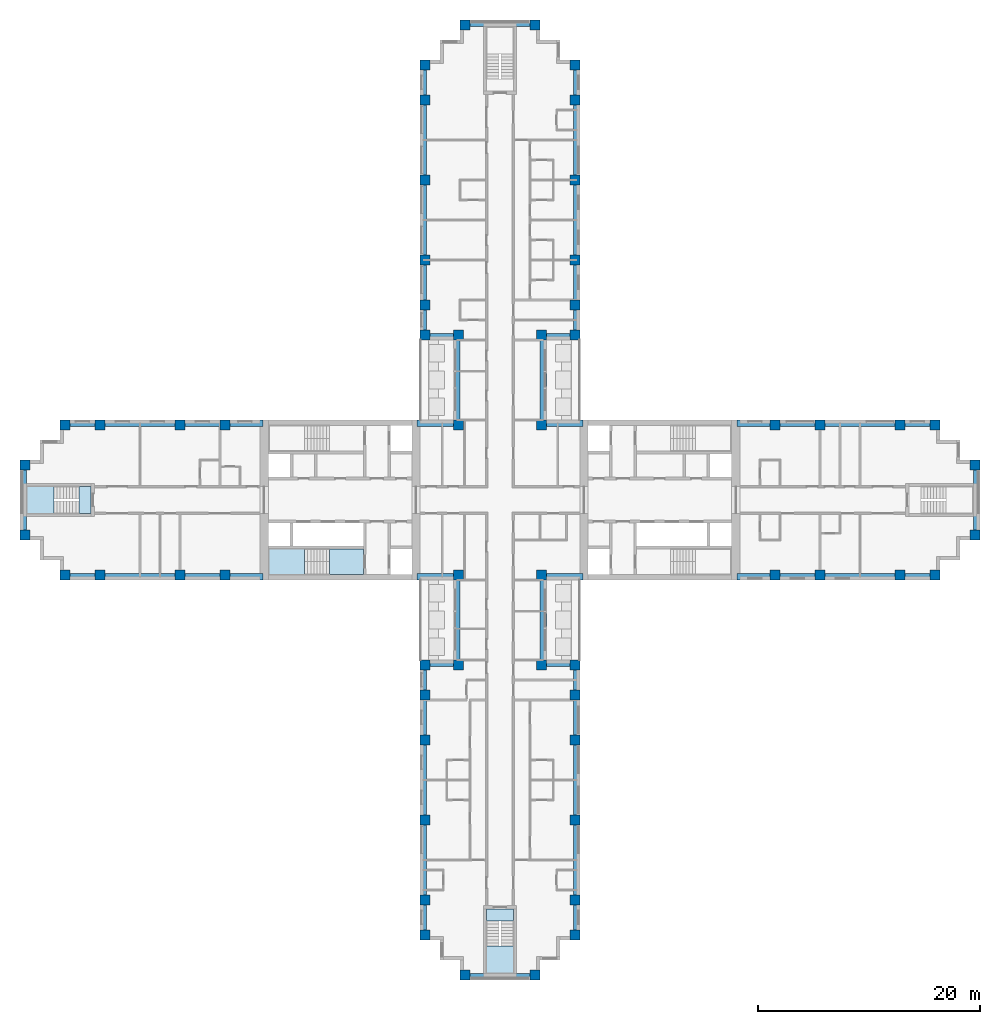
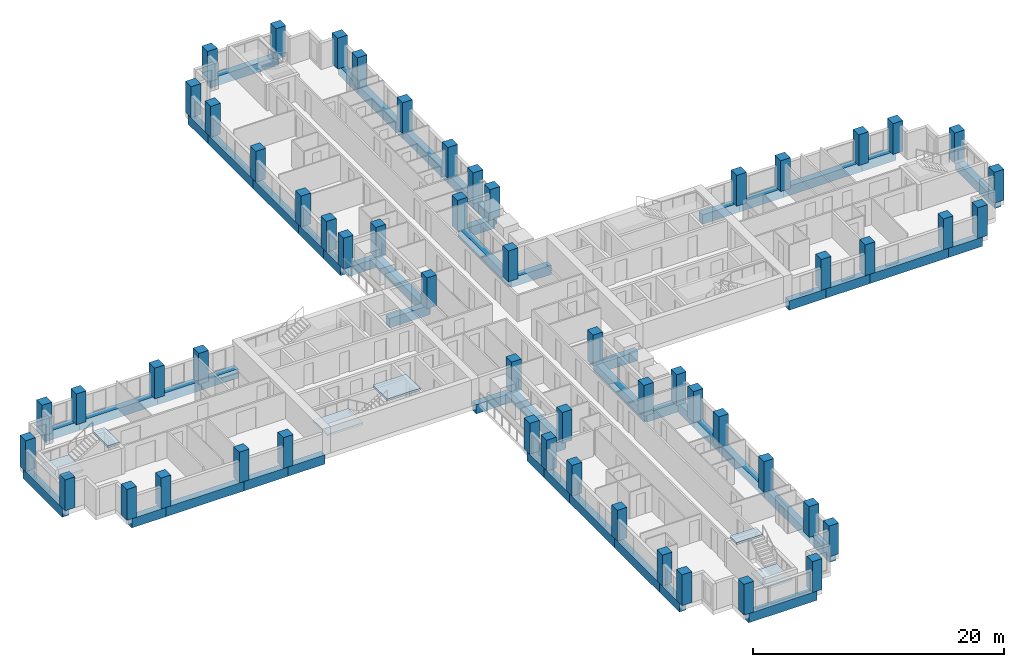
# One storey, part 1 of 15: 56 columns, 52 beams, 6 slabs, 3 elements without a shape of their own.
"""IFC4 building model written with IfcOpenShell, lengths in metres."""

from ifc_helpers import new_model, si_unit, direction, frame, origin, origin_2d, place, context, subcontext, project, spatial, polyline, rectangle, outline, extrude, material, layer, layer_set, material_profile, profile_set, type_object, element, aggregate, save


model = new_model("IFC4")

# Units and contexts
model_context = context("Model", 3, precision=1e-05, world=origin(), true_north=direction((0.0, 1.0)))
body_context = subcontext(model_context, "Body", "Model", "MODEL_VIEW")
ifc_project = project(units=[si_unit("LENGTHUNIT", "METRE"), si_unit("AREAUNIT", "SQUARE_METRE"), si_unit("VOLUMEUNIT", "CUBIC_METRE"), si_unit("PLANEANGLEUNIT", "RADIAN"), si_unit("MASSUNIT", "GRAM", prefix="KILO")], contexts=[model_context])

# Site, building, storey
site_placement = place(None, origin())
site = spatial("IfcSite", under=ifc_project, at=site_placement, CompositionType="ELEMENT")
building_placement = place(site_placement, origin())
building = spatial("IfcBuilding", under=site, at=building_placement, Name="Fustian Cross Tower", CompositionType="ELEMENT")
storey_placement = place(building_placement, frame((0.0, 0.0, 59.699951171875)))
storey = spatial("IfcBuildingStorey", under=building, at=storey_placement, Name="L18", CompositionType="ELEMENT", Elevation=59.699951171875)

# Columns
ifc_material_1 = material(Name="Concrete C70/85", Category="concrete")
ifc_material_profile_1 = material_profile(ifc_material_1, rectangle(XDim=0.89990234375, YDim=0.89990234375, at=origin_2d()), Name="RC 900x900")
ifc_profile_set_1 = profile_set([ifc_material_profile_1], Name="Concrete C70/85")
column_type = type_object("IfcColumnType", Name="COLUMN RC 900x900 C70/85", PredefinedType="COLUMN", material=ifc_profile_set_1)
for number, where, z_axis, x_axis, name in (
    (1, (-42.75, -3.14990234375, 0.0), (0.0, 0.0, 1.0), (1.0, 0.0, 0.0), "COLUMN 001"),
    (2, (-42.75, 3.14990234375, 0.0), (0.0, 0.0, 1.0), (1.0, 0.0, 0.0), "COLUMN 002"),
    (3, (-39.14990234375, -6.75, 0.0), (0.0, 0.0, 1.0), (1.0, 0.0, 0.0), "COLUMN 003"),
    (4, (-39.14990234375, 6.75, 0.0), (0.0, 0.0, 1.0), (1.0, 0.0, 0.0), "COLUMN 004"),
    (5, (-36.0, -6.75, 0.0), (0.0, 0.0, 1.0), (1.0, 0.0, 0.0), "COLUMN 005"),
    (6, (-36.0, 6.75, 0.0), (0.0, 0.0, 1.0), (1.0, 0.0, 0.0), "COLUMN 006"),
    (7, (-28.800048828125, -6.75, 0.0), (0.0, 0.0, 1.0), (1.0, 0.0, 0.0), "COLUMN 007"),
    (8, (-28.800048828125, 6.75, 0.0), (0.0, 0.0, 1.0), (1.0, 0.0, 0.0), "COLUMN 010"),
    (9, (-24.75, -6.75, 0.0), (0.0, 0.0, 1.0), (1.0, 0.0, 0.0), "COLUMN 011"),
    (10, (-24.75, 6.75, 0.0), (0.0, 0.0, 1.0), (1.0, 0.0, 0.0), "COLUMN 012"),
    (11, (-6.75, -39.14990234375, 0.0), (0.0, 0.0, 1.0), (1.0, 0.0, 0.0), "COLUMN 013"),
    (12, (-6.75, -36.0, 0.0), (0.0, 0.0, 1.0), (1.0, 0.0, 0.0), "COLUMN 014"),
    (13, (-6.75, -28.800048828125, 0.0), (0.0, 0.0, 1.0), (1.0, 0.0, 0.0), "COLUMN 015"),
    (14, (-6.75, -21.60009765625, 0.0), (0.0, 0.0, 1.0), (1.0, 0.0, 0.0), "COLUMN 016"),
    (15, (-6.75, -17.550048828125, 0.0), (0.0, 0.0, 1.0), (1.0, 0.0, 0.0), "COLUMN 017"),
    (16, (-6.75, -14.85009765625, 0.0), (0.0, 0.0, 1.0), (1.0, 0.0, 0.0), "COLUMN 018"),
    (17, (-6.75, 14.85009765625, 0.0), (0.0, 0.0, 1.0), (1.0, 0.0, 0.0), "COLUMN 019"),
    (18, (-6.75, 17.550048828125, 0.0), (0.0, 0.0, 1.0), (1.0, 0.0, 0.0), "COLUMN 020"),
    (19, (-6.75, 21.60009765625, 0.0), (0.0, 0.0, 1.0), (1.0, 0.0, 0.0), "COLUMN 021"),
    (20, (-6.75, 28.800048828125, 0.0), (0.0, 0.0, 1.0), (1.0, 0.0, 0.0), "COLUMN 022"),
    (21, (-6.75, 36.0, 0.0), (0.0, 0.0, 1.0), (1.0, 0.0, 0.0), "COLUMN 023"),
    (22, (-6.75, 39.14990234375, 0.0), (0.0, 0.0, 1.0), (1.0, 0.0, 0.0), "COLUMN 024"),
    (23, (-3.75, -14.85009765625, 0.0), (0.0, 0.0, 1.0), (1.0, 0.0, 0.0), "COLUMN 025"),
    (24, (-3.75, -6.75, 0.0), (0.0, 0.0, 1.0), (1.0, 0.0, 0.0), "COLUMN 026"),
    (25, (-3.75, 6.75, 0.0), (0.0, 0.0, 1.0), (1.0, 0.0, 0.0), "COLUMN 027"),
    (26, (-3.75, 14.85009765625, 0.0), (0.0, 0.0, 1.0), (1.0, 0.0, 0.0), "COLUMN 028"),
    (27, (-3.14990234375, -42.75, 0.0), (0.0, 0.0, 1.0), (1.0, 0.0, 0.0), "COLUMN 029"),
    (28, (-3.14990234375, 42.75, 0.0), (0.0, 0.0, 1.0), (1.0, 0.0, 0.0), "COLUMN 032"),
    (29, (3.14990234375, -42.75, 0.0), (0.0, 0.0, 1.0), (1.0, 0.0, 0.0), "COLUMN 033"),
    (30, (3.14990234375, 42.75, 0.0), (0.0, 0.0, 1.0), (1.0, 0.0, 0.0), "COLUMN 036"),
    (31, (3.75, -14.85009765625, 0.0), (0.0, 0.0, 1.0), (1.0, 0.0, 0.0), "COLUMN 037"),
    (32, (3.75, -6.75, 0.0), (0.0, 0.0, 1.0), (1.0, 0.0, 0.0), "COLUMN 038"),
    (33, (3.75, 6.75, 0.0), (0.0, 0.0, 1.0), (1.0, 0.0, 0.0), "COLUMN 039"),
    (34, (3.75, 14.85009765625, 0.0), (0.0, 0.0, 1.0), (1.0, 0.0, 0.0), "COLUMN 040"),
    (35, (6.75, -39.14990234375, 0.0), (0.0, 0.0, 1.0), (1.0, 0.0, 0.0), "COLUMN 041"),
    (36, (6.75, -36.0, 0.0), (0.0, 0.0, 1.0), (1.0, 0.0, 0.0), "COLUMN 042"),
    (37, (6.75, -28.800048828125, 0.0), (0.0, 0.0, 1.0), (1.0, 0.0, 0.0), "COLUMN 043"),
    (38, (6.75, -21.60009765625, 0.0), (0.0, 0.0, 1.0), (1.0, 0.0, 0.0), "COLUMN 044"),
    (39, (6.75, -17.550048828125, 0.0), (0.0, 0.0, 1.0), (1.0, 0.0, 0.0), "COLUMN 045"),
    (40, (6.75, -14.85009765625, 0.0), (0.0, 0.0, 1.0), (1.0, 0.0, 0.0), "COLUMN 046"),
    (41, (6.75, 14.85009765625, 0.0), (0.0, 0.0, 1.0), (1.0, 0.0, 0.0), "COLUMN 047"),
    (42, (6.75, 17.550048828125, 0.0), (0.0, 0.0, 1.0), (1.0, 0.0, 0.0), "COLUMN 048"),
    (43, (6.75, 21.60009765625, 0.0), (0.0, 0.0, 1.0), (1.0, 0.0, 0.0), "COLUMN 049"),
    (44, (6.75, 28.800048828125, 0.0), (0.0, 0.0, 1.0), (1.0, 0.0, 0.0), "COLUMN 050"),
    (45, (6.75, 36.0, 0.0), (0.0, 0.0, 1.0), (1.0, 0.0, 0.0), "COLUMN 051"),
    (46, (6.75, 39.14990234375, 0.0), (0.0, 0.0, 1.0), (1.0, 0.0, 0.0), "COLUMN 052"),
    (47, (24.75, -6.75, 0.0), (0.0, 0.0, 1.0), (1.0, 0.0, 0.0), "COLUMN 053"),
    (48, (24.75, 6.75, 0.0), (0.0, 0.0, 1.0), (1.0, 0.0, 0.0), "COLUMN 054"),
    (49, (28.800048828125, -6.75, 0.0), (0.0, 0.0, 1.0), (1.0, 0.0, 0.0), "COLUMN 055"),
    (50, (28.800048828125, 6.75, 0.0), (0.0, 0.0, 1.0), (1.0, 0.0, 0.0), "COLUMN 058"),
    (51, (36.0, -6.75, 0.0), (0.0, 0.0, 1.0), (1.0, 0.0, 0.0), "COLUMN 059"),
    (52, (36.0, 6.75, 0.0), (0.0, 0.0, 1.0), (1.0, 0.0, 0.0), "COLUMN 060"),
    (53, (39.14990234375, -6.75, 0.0), (0.0, 0.0, 1.0), (1.0, 0.0, 0.0), "COLUMN 061"),
    (54, (39.14990234375, 6.75, 0.0), (0.0, 0.0, 1.0), (1.0, 0.0, 0.0), "COLUMN 062"),
    (55, (42.75, -3.14990234375, 0.0), (0.0, 0.0, 1.0), (1.0, 0.0, 0.0), "COLUMN 063"),
    (56, (42.75, 3.14990234375, 0.0), (0.0, 0.0, 1.0), (1.0, 0.0, 0.0), "COLUMN 064"),
):
    element("IfcColumn", number, at=place(storey_placement, frame(where, z_axis=z_axis, x_axis=x_axis)), inside=storey, type_object=column_type, Name=name, PredefinedType="COLUMN", context=body_context, shape_type="SweptSolid", body=[
        extrude(rectangle(XDim=0.89990234375, YDim=0.89990234375, at=origin_2d()), origin(), (0.0, 0.0, 1.0), 3.0),
    ])

# Beams
ifc_material_2 = material(Name="Concrete C50/60", Category="concrete")
ifc_material_profile_2 = material_profile(ifc_material_2, rectangle(XDim=0.60009765625, YDim=0.89990234375, at=origin_2d()), Name="RC 600x900")
ifc_profile_set_2 = profile_set([ifc_material_profile_2], Name="Concrete C50/60")
beam_type = type_object("IfcBeamType", Name="EDGE BEAM RC 600x900 C50/60", PredefinedType="SPANDREL", material=ifc_profile_set_2)
beam_1_placement = place(storey_placement, frame((21.35009765625, -6.89990234375, -0.449951171875), z_axis=(1.0, 0.0, 0.0), x_axis=(0.0, 1.0, 0.0)))
element("IfcBeam", 57, at=beam_1_placement, inside=storey, type_object=beam_type, Name="EDGE BEAM L18-01", PredefinedType="SPANDREL", context=body_context, shape_type="SweptSolid", body=[
    extrude(rectangle(XDim=0.60009765625, YDim=0.89990234375, at=origin_2d()), origin(), (0.0, 0.0, 1.0), 3.39990234375),
])
beam_2_placement = place(storey_placement, frame((24.75, -6.89990234375, -0.449951171875), z_axis=(1.0, 0.0, 0.0), x_axis=(0.0, 1.0, 0.0)))
element("IfcBeam", 58, at=beam_2_placement, inside=storey, type_object=beam_type, Name="EDGE BEAM L18-02", PredefinedType="SPANDREL", context=body_context, shape_type="SweptSolid", body=[
    extrude(rectangle(XDim=0.60009765625, YDim=0.89990234375, at=origin_2d()), origin(), (0.0, 0.0, 1.0), 4.050048828125),
])
beam_3_placement = place(storey_placement, frame((28.800048828125, -6.89990234375, -0.449951171875), z_axis=(1.0, 0.0, 0.0), x_axis=(0.0, 1.0, 0.0)))
element("IfcBeam", 59, at=beam_3_placement, inside=storey, type_object=beam_type, Name="EDGE BEAM L18-03", PredefinedType="SPANDREL", context=body_context, shape_type="SweptSolid", body=[
    extrude(rectangle(XDim=0.60009765625, YDim=0.89990234375, at=origin_2d()), origin(), (0.0, 0.0, 1.0), 7.199951171875),
])
beam_4_placement = place(storey_placement, frame((36.0, -6.89990234375, -0.449951171875), z_axis=(1.0, 0.0, 0.0), x_axis=(0.0, 1.0, 0.0)))
element("IfcBeam", 60, at=beam_4_placement, inside=storey, type_object=beam_type, Name="EDGE BEAM L18-04", PredefinedType="SPANDREL", context=body_context, shape_type="SweptSolid", body=[
    extrude(rectangle(XDim=0.60009765625, YDim=0.89990234375, at=origin_2d()), origin(), (0.0, 0.0, 1.0), 3.14990234375),
])
beam_5_placement = place(storey_placement, frame((42.89990234375, -3.14990234375, -0.449951171875), z_axis=(0.0, 1.0, 0.0), x_axis=(-1.0, 0.0, 0.0)))
element("IfcBeam", 61, at=beam_5_placement, inside=storey, type_object=beam_type, Name="EDGE BEAM L18-05", PredefinedType="SPANDREL", context=body_context, shape_type="SweptSolid", body=[
    extrude(rectangle(XDim=0.60009765625, YDim=0.89990234375, at=origin_2d()), origin(), (0.0, 0.0, 1.0), 6.2998046875),
])
beam_6_placement = place(storey_placement, frame((39.14990234375, 6.89990234375, -0.449951171875), z_axis=(-1.0, 0.0, 0.0), x_axis=(0.0, -1.0, 0.0)))
element("IfcBeam", 62, at=beam_6_placement, inside=storey, type_object=beam_type, Name="EDGE BEAM L18-06", PredefinedType="SPANDREL", context=body_context, shape_type="SweptSolid", body=[
    extrude(rectangle(XDim=0.60009765625, YDim=0.89990234375, at=origin_2d()), origin(), (0.0, 0.0, 1.0), 3.14990234375),
])
beam_7_placement = place(storey_placement, frame((36.0, 6.89990234375, -0.449951171875), z_axis=(-1.0, 0.0, 0.0), x_axis=(0.0, -1.0, 0.0)))
element("IfcBeam", 63, at=beam_7_placement, inside=storey, type_object=beam_type, Name="EDGE BEAM L18-07", PredefinedType="SPANDREL", context=body_context, shape_type="SweptSolid", body=[
    extrude(rectangle(XDim=0.60009765625, YDim=0.89990234375, at=origin_2d()), origin(), (0.0, 0.0, 1.0), 7.199951171875),
])
beam_8_placement = place(storey_placement, frame((28.800048828125, 6.89990234375, -0.449951171875), z_axis=(-1.0, 0.0, 0.0), x_axis=(0.0, -1.0, 0.0)))
element("IfcBeam", 64, at=beam_8_placement, inside=storey, type_object=beam_type, Name="EDGE BEAM L18-08", PredefinedType="SPANDREL", context=body_context, shape_type="SweptSolid", body=[
    extrude(rectangle(XDim=0.60009765625, YDim=0.89990234375, at=origin_2d()), origin(), (0.0, 0.0, 1.0), 4.050048828125),
])
beam_9_placement = place(storey_placement, frame((24.75, 6.89990234375, -0.449951171875), z_axis=(-1.0, 0.0, 0.0), x_axis=(0.0, -1.0, 0.0)))
element("IfcBeam", 65, at=beam_9_placement, inside=storey, type_object=beam_type, Name="EDGE BEAM L18-09", PredefinedType="SPANDREL", context=body_context, shape_type="SweptSolid", body=[
    extrude(rectangle(XDim=0.60009765625, YDim=0.89990234375, at=origin_2d()), origin(), (0.0, 0.0, 1.0), 3.39990234375),
])
beam_10_placement = place(storey_placement, frame((7.449951171875, 6.89990234375, -0.449951171875), z_axis=(-1.0, 0.0, 0.0), x_axis=(0.0, -1.0, 0.0)))
element("IfcBeam", 66, at=beam_10_placement, inside=storey, type_object=beam_type, Name="EDGE BEAM L18-10", PredefinedType="SPANDREL", context=body_context, shape_type="SweptSolid", body=[
    extrude(rectangle(XDim=0.60009765625, YDim=0.89990234375, at=origin_2d()), origin(), (0.0, 0.0, 1.0), 3.699951171875),
])
beam_11_placement = place(storey_placement, frame((3.89990234375, 6.75, -0.449951171875), z_axis=(0.0, 1.0, 0.0), x_axis=(-1.0, 0.0, 0.0)))
element("IfcBeam", 67, at=beam_11_placement, inside=storey, type_object=beam_type, Name="EDGE BEAM L18-11", PredefinedType="SPANDREL", context=body_context, shape_type="SweptSolid", body=[
    extrude(rectangle(XDim=0.60009765625, YDim=0.89990234375, at=origin_2d()), origin(), (0.0, 0.0, 1.0), 8.10009765625),
])
beam_12_placement = place(storey_placement, frame((3.75, 14.699951171875, -0.449951171875), z_axis=(1.0, 0.0, 0.0), x_axis=(0.0, 1.0, 0.0)))
element("IfcBeam", 68, at=beam_12_placement, inside=storey, type_object=beam_type, Name="EDGE BEAM L18-12", PredefinedType="SPANDREL", context=body_context, shape_type="SweptSolid", body=[
    extrude(rectangle(XDim=0.60009765625, YDim=0.89990234375, at=origin_2d()), origin(), (0.0, 0.0, 1.0), 3.0),
])
beam_13_placement = place(storey_placement, frame((6.89990234375, 14.85009765625, -0.449951171875), z_axis=(0.0, 1.0, 0.0), x_axis=(-1.0, 0.0, 0.0)))
element("IfcBeam", 69, at=beam_13_placement, inside=storey, type_object=beam_type, Name="EDGE BEAM L18-13", PredefinedType="SPANDREL", context=body_context, shape_type="SweptSolid", body=[
    extrude(rectangle(XDim=0.60009765625, YDim=0.89990234375, at=origin_2d()), origin(), (0.0, 0.0, 1.0), 2.699951171875),
])
beam_14_placement = place(storey_placement, frame((6.89990234375, 17.550048828125, -0.449951171875), z_axis=(0.0, 1.0, 0.0), x_axis=(-1.0, 0.0, 0.0)))
element("IfcBeam", 70, at=beam_14_placement, inside=storey, type_object=beam_type, Name="EDGE BEAM L18-14", PredefinedType="SPANDREL", context=body_context, shape_type="SweptSolid", body=[
    extrude(rectangle(XDim=0.60009765625, YDim=0.89990234375, at=origin_2d()), origin(), (0.0, 0.0, 1.0), 4.050048828125),
])
for number, where, z_axis, x_axis, name in (
    (71, (6.89990234375, 21.60009765625, -0.449951171875), (0.0, 1.0, 0.0), (-1.0, 0.0, 0.0), "EDGE BEAM L18-15"),
    (72, (6.89990234375, 28.800048828125, -0.449951171875), (0.0, 1.0, 0.0), (-1.0, 0.0, 0.0), "EDGE BEAM L18-16"),
):
    element("IfcBeam", number, at=place(storey_placement, frame(where, z_axis=z_axis, x_axis=x_axis)), inside=storey, type_object=beam_type, Name=name, PredefinedType="SPANDREL", context=body_context, shape_type="SweptSolid", body=[
        extrude(rectangle(XDim=0.60009765625, YDim=0.89990234375, at=origin_2d()), origin(), (0.0, 0.0, 1.0), 7.199951171875),
    ])
beam_15_placement = place(storey_placement, frame((6.89990234375, 36.0, -0.449951171875), z_axis=(0.0, 1.0, 0.0), x_axis=(-1.0, 0.0, 0.0)))
element("IfcBeam", 73, at=beam_15_placement, inside=storey, type_object=beam_type, Name="EDGE BEAM L18-17", PredefinedType="SPANDREL", context=body_context, shape_type="SweptSolid", body=[
    extrude(rectangle(XDim=0.60009765625, YDim=0.89990234375, at=origin_2d()), origin(), (0.0, 0.0, 1.0), 3.14990234375),
])
beam_16_placement = place(storey_placement, frame((3.14990234375, 42.89990234375, -0.449951171875), z_axis=(-1.0, 0.0, 0.0), x_axis=(0.0, -1.0, 0.0)))
element("IfcBeam", 74, at=beam_16_placement, inside=storey, type_object=beam_type, Name="EDGE BEAM L18-18", PredefinedType="SPANDREL", context=body_context, shape_type="SweptSolid", body=[
    extrude(rectangle(XDim=0.60009765625, YDim=0.89990234375, at=origin_2d()), origin(), (0.0, 0.0, 1.0), 6.2998046875),
])
beam_17_placement = place(storey_placement, frame((-6.89990234375, 39.14990234375, -0.449951171875), z_axis=(0.0, -1.0, 0.0), x_axis=(1.0, 0.0, 0.0)))
element("IfcBeam", 75, at=beam_17_placement, inside=storey, type_object=beam_type, Name="EDGE BEAM L18-19", PredefinedType="SPANDREL", context=body_context, shape_type="SweptSolid", body=[
    extrude(rectangle(XDim=0.60009765625, YDim=0.89990234375, at=origin_2d()), origin(), (0.0, 0.0, 1.0), 3.14990234375),
])
for number, where, z_axis, x_axis, name in (
    (76, (-6.89990234375, 36.0, -0.449951171875), (0.0, -1.0, 0.0), (1.0, 0.0, 0.0), "EDGE BEAM L18-20"),
    (77, (-6.89990234375, 28.800048828125, -0.449951171875), (0.0, -1.0, 0.0), (1.0, 0.0, 0.0), "EDGE BEAM L18-21"),
):
    element("IfcBeam", number, at=place(storey_placement, frame(where, z_axis=z_axis, x_axis=x_axis)), inside=storey, type_object=beam_type, Name=name, PredefinedType="SPANDREL", context=body_context, shape_type="SweptSolid", body=[
        extrude(rectangle(XDim=0.60009765625, YDim=0.89990234375, at=origin_2d()), origin(), (0.0, 0.0, 1.0), 7.199951171875),
    ])
beam_18_placement = place(storey_placement, frame((-6.89990234375, 21.60009765625, -0.449951171875), z_axis=(0.0, -1.0, 0.0), x_axis=(1.0, 0.0, 0.0)))
element("IfcBeam", 78, at=beam_18_placement, inside=storey, type_object=beam_type, Name="EDGE BEAM L18-22", PredefinedType="SPANDREL", context=body_context, shape_type="SweptSolid", body=[
    extrude(rectangle(XDim=0.60009765625, YDim=0.89990234375, at=origin_2d()), origin(), (0.0, 0.0, 1.0), 4.050048828125),
])
beam_19_placement = place(storey_placement, frame((-6.89990234375, 17.550048828125, -0.449951171875), z_axis=(0.0, -1.0, 0.0), x_axis=(1.0, 0.0, 0.0)))
element("IfcBeam", 79, at=beam_19_placement, inside=storey, type_object=beam_type, Name="EDGE BEAM L18-23", PredefinedType="SPANDREL", context=body_context, shape_type="SweptSolid", body=[
    extrude(rectangle(XDim=0.60009765625, YDim=0.89990234375, at=origin_2d()), origin(), (0.0, 0.0, 1.0), 2.699951171875),
])
beam_20_placement = place(storey_placement, frame((-6.75, 14.699951171875, -0.449951171875), z_axis=(1.0, 0.0, 0.0), x_axis=(0.0, 1.0, 0.0)))
element("IfcBeam", 80, at=beam_20_placement, inside=storey, type_object=beam_type, Name="EDGE BEAM L18-24", PredefinedType="SPANDREL", context=body_context, shape_type="SweptSolid", body=[
    extrude(rectangle(XDim=0.60009765625, YDim=0.89990234375, at=origin_2d()), origin(), (0.0, 0.0, 1.0), 3.0),
])
beam_21_placement = place(storey_placement, frame((-3.89990234375, 14.85009765625, -0.449951171875), z_axis=(0.0, -1.0, 0.0), x_axis=(1.0, 0.0, 0.0)))
element("IfcBeam", 81, at=beam_21_placement, inside=storey, type_object=beam_type, Name="EDGE BEAM L18-25", PredefinedType="SPANDREL", context=body_context, shape_type="SweptSolid", body=[
    extrude(rectangle(XDim=0.60009765625, YDim=0.89990234375, at=origin_2d()), origin(), (0.0, 0.0, 1.0), 8.10009765625),
])
beam_22_placement = place(storey_placement, frame((-3.75, 6.89990234375, -0.449951171875), z_axis=(-1.0, 0.0, 0.0), x_axis=(0.0, -1.0, 0.0)))
element("IfcBeam", 82, at=beam_22_placement, inside=storey, type_object=beam_type, Name="EDGE BEAM L18-26", PredefinedType="SPANDREL", context=body_context, shape_type="SweptSolid", body=[
    extrude(rectangle(XDim=0.60009765625, YDim=0.89990234375, at=origin_2d()), origin(), (0.0, 0.0, 1.0), 3.699951171875),
])
beam_23_placement = place(storey_placement, frame((-21.35009765625, 6.89990234375, -0.449951171875), z_axis=(-1.0, 0.0, 0.0), x_axis=(0.0, -1.0, 0.0)))
element("IfcBeam", 83, at=beam_23_placement, inside=storey, type_object=beam_type, Name="EDGE BEAM L18-27", PredefinedType="SPANDREL", context=body_context, shape_type="SweptSolid", body=[
    extrude(rectangle(XDim=0.60009765625, YDim=0.89990234375, at=origin_2d()), origin(), (0.0, 0.0, 1.0), 3.39990234375),
])
beam_24_placement = place(storey_placement, frame((-24.75, 6.89990234375, -0.449951171875), z_axis=(-1.0, 0.0, 0.0), x_axis=(0.0, -1.0, 0.0)))
element("IfcBeam", 84, at=beam_24_placement, inside=storey, type_object=beam_type, Name="EDGE BEAM L18-28", PredefinedType="SPANDREL", context=body_context, shape_type="SweptSolid", body=[
    extrude(rectangle(XDim=0.60009765625, YDim=0.89990234375, at=origin_2d()), origin(), (0.0, 0.0, 1.0), 4.050048828125),
])
beam_25_placement = place(storey_placement, frame((-28.800048828125, 6.89990234375, -0.449951171875), z_axis=(-1.0, 0.0, 0.0), x_axis=(0.0, -1.0, 0.0)))
element("IfcBeam", 85, at=beam_25_placement, inside=storey, type_object=beam_type, Name="EDGE BEAM L18-29", PredefinedType="SPANDREL", context=body_context, shape_type="SweptSolid", body=[
    extrude(rectangle(XDim=0.60009765625, YDim=0.89990234375, at=origin_2d()), origin(), (0.0, 0.0, 1.0), 7.199951171875),
])
beam_26_placement = place(storey_placement, frame((-36.0, 6.89990234375, -0.449951171875), z_axis=(-1.0, 0.0, 0.0), x_axis=(0.0, -1.0, 0.0)))
element("IfcBeam", 86, at=beam_26_placement, inside=storey, type_object=beam_type, Name="EDGE BEAM L18-30", PredefinedType="SPANDREL", context=body_context, shape_type="SweptSolid", body=[
    extrude(rectangle(XDim=0.60009765625, YDim=0.89990234375, at=origin_2d()), origin(), (0.0, 0.0, 1.0), 3.14990234375),
])
beam_27_placement = place(storey_placement, frame((-42.89990234375, 3.14990234375, -0.449951171875), z_axis=(0.0, -1.0, 0.0), x_axis=(1.0, 0.0, 0.0)))
element("IfcBeam", 87, at=beam_27_placement, inside=storey, type_object=beam_type, Name="EDGE BEAM L18-31", PredefinedType="SPANDREL", context=body_context, shape_type="SweptSolid", body=[
    extrude(rectangle(XDim=0.60009765625, YDim=0.89990234375, at=origin_2d()), origin(), (0.0, 0.0, 1.0), 6.2998046875),
])
beam_28_placement = place(storey_placement, frame((-39.14990234375, -6.89990234375, -0.449951171875), z_axis=(1.0, 0.0, 0.0), x_axis=(0.0, 1.0, 0.0)))
element("IfcBeam", 88, at=beam_28_placement, inside=storey, type_object=beam_type, Name="EDGE BEAM L18-32", PredefinedType="SPANDREL", context=body_context, shape_type="SweptSolid", body=[
    extrude(rectangle(XDim=0.60009765625, YDim=0.89990234375, at=origin_2d()), origin(), (0.0, 0.0, 1.0), 3.14990234375),
])
beam_29_placement = place(storey_placement, frame((-36.0, -6.89990234375, -0.449951171875), z_axis=(1.0, 0.0, 0.0), x_axis=(0.0, 1.0, 0.0)))
element("IfcBeam", 89, at=beam_29_placement, inside=storey, type_object=beam_type, Name="EDGE BEAM L18-33", PredefinedType="SPANDREL", context=body_context, shape_type="SweptSolid", body=[
    extrude(rectangle(XDim=0.60009765625, YDim=0.89990234375, at=origin_2d()), origin(), (0.0, 0.0, 1.0), 7.199951171875),
])
beam_30_placement = place(storey_placement, frame((-28.800048828125, -6.89990234375, -0.449951171875), z_axis=(1.0, 0.0, 0.0), x_axis=(0.0, 1.0, 0.0)))
element("IfcBeam", 90, at=beam_30_placement, inside=storey, type_object=beam_type, Name="EDGE BEAM L18-34", PredefinedType="SPANDREL", context=body_context, shape_type="SweptSolid", body=[
    extrude(rectangle(XDim=0.60009765625, YDim=0.89990234375, at=origin_2d()), origin(), (0.0, 0.0, 1.0), 4.050048828125),
])
beam_31_placement = place(storey_placement, frame((-24.75, -6.89990234375, -0.449951171875), z_axis=(1.0, 0.0, 0.0), x_axis=(0.0, 1.0, 0.0)))
element("IfcBeam", 91, at=beam_31_placement, inside=storey, type_object=beam_type, Name="EDGE BEAM L18-35", PredefinedType="SPANDREL", context=body_context, shape_type="SweptSolid", body=[
    extrude(rectangle(XDim=0.60009765625, YDim=0.89990234375, at=origin_2d()), origin(), (0.0, 0.0, 1.0), 3.39990234375),
])
beam_32_placement = place(storey_placement, frame((-7.449951171875, -6.89990234375, -0.449951171875), z_axis=(1.0, 0.0, 0.0), x_axis=(0.0, 1.0, 0.0)))
element("IfcBeam", 92, at=beam_32_placement, inside=storey, type_object=beam_type, Name="EDGE BEAM L18-36", PredefinedType="SPANDREL", context=body_context, shape_type="SweptSolid", body=[
    extrude(rectangle(XDim=0.60009765625, YDim=0.89990234375, at=origin_2d()), origin(), (0.0, 0.0, 1.0), 3.699951171875),
])
beam_33_placement = place(storey_placement, frame((-3.89990234375, -6.75, -0.449951171875), z_axis=(0.0, -1.0, 0.0), x_axis=(1.0, 0.0, 0.0)))
element("IfcBeam", 93, at=beam_33_placement, inside=storey, type_object=beam_type, Name="EDGE BEAM L18-37", PredefinedType="SPANDREL", context=body_context, shape_type="SweptSolid", body=[
    extrude(rectangle(XDim=0.60009765625, YDim=0.89990234375, at=origin_2d()), origin(), (0.0, 0.0, 1.0), 8.10009765625),
])
beam_34_placement = place(storey_placement, frame((-3.75, -14.699951171875, -0.449951171875), z_axis=(-1.0, 0.0, 0.0), x_axis=(0.0, -1.0, 0.0)))
element("IfcBeam", 94, at=beam_34_placement, inside=storey, type_object=beam_type, Name="EDGE BEAM L18-38", PredefinedType="SPANDREL", context=body_context, shape_type="SweptSolid", body=[
    extrude(rectangle(XDim=0.60009765625, YDim=0.89990234375, at=origin_2d()), origin(), (0.0, 0.0, 1.0), 3.0),
])
beam_35_placement = place(storey_placement, frame((-6.89990234375, -14.85009765625, -0.449951171875), z_axis=(0.0, -1.0, 0.0), x_axis=(1.0, 0.0, 0.0)))
element("IfcBeam", 95, at=beam_35_placement, inside=storey, type_object=beam_type, Name="EDGE BEAM L18-39", PredefinedType="SPANDREL", context=body_context, shape_type="SweptSolid", body=[
    extrude(rectangle(XDim=0.60009765625, YDim=0.89990234375, at=origin_2d()), origin(), (0.0, 0.0, 1.0), 2.699951171875),
])
beam_36_placement = place(storey_placement, frame((-6.89990234375, -17.550048828125, -0.449951171875), z_axis=(0.0, -1.0, 0.0), x_axis=(1.0, 0.0, 0.0)))
element("IfcBeam", 96, at=beam_36_placement, inside=storey, type_object=beam_type, Name="EDGE BEAM L18-40", PredefinedType="SPANDREL", context=body_context, shape_type="SweptSolid", body=[
    extrude(rectangle(XDim=0.60009765625, YDim=0.89990234375, at=origin_2d()), origin(), (0.0, 0.0, 1.0), 4.050048828125),
])
for number, where, z_axis, x_axis, name in (
    (97, (-6.89990234375, -21.60009765625, -0.449951171875), (0.0, -1.0, 0.0), (1.0, 0.0, 0.0), "EDGE BEAM L18-41"),
    (98, (-6.89990234375, -28.800048828125, -0.449951171875), (0.0, -1.0, 0.0), (1.0, 0.0, 0.0), "EDGE BEAM L18-42"),
):
    element("IfcBeam", number, at=place(storey_placement, frame(where, z_axis=z_axis, x_axis=x_axis)), inside=storey, type_object=beam_type, Name=name, PredefinedType="SPANDREL", context=body_context, shape_type="SweptSolid", body=[
        extrude(rectangle(XDim=0.60009765625, YDim=0.89990234375, at=origin_2d()), origin(), (0.0, 0.0, 1.0), 7.199951171875),
    ])
beam_37_placement = place(storey_placement, frame((-6.89990234375, -36.0, -0.449951171875), z_axis=(0.0, -1.0, 0.0), x_axis=(1.0, 0.0, 0.0)))
element("IfcBeam", 99, at=beam_37_placement, inside=storey, type_object=beam_type, Name="EDGE BEAM L18-43", PredefinedType="SPANDREL", context=body_context, shape_type="SweptSolid", body=[
    extrude(rectangle(XDim=0.60009765625, YDim=0.89990234375, at=origin_2d()), origin(), (0.0, 0.0, 1.0), 3.14990234375),
])
beam_38_placement = place(storey_placement, frame((-3.14990234375, -42.89990234375, -0.449951171875), z_axis=(1.0, 0.0, 0.0), x_axis=(0.0, 1.0, 0.0)))
element("IfcBeam", 100, at=beam_38_placement, inside=storey, type_object=beam_type, Name="EDGE BEAM L18-44", PredefinedType="SPANDREL", context=body_context, shape_type="SweptSolid", body=[
    extrude(rectangle(XDim=0.60009765625, YDim=0.89990234375, at=origin_2d()), origin(), (0.0, 0.0, 1.0), 6.2998046875),
])
beam_39_placement = place(storey_placement, frame((6.89990234375, -39.14990234375, -0.449951171875), z_axis=(0.0, 1.0, 0.0), x_axis=(-1.0, 0.0, 0.0)))
element("IfcBeam", 101, at=beam_39_placement, inside=storey, type_object=beam_type, Name="EDGE BEAM L18-45", PredefinedType="SPANDREL", context=body_context, shape_type="SweptSolid", body=[
    extrude(rectangle(XDim=0.60009765625, YDim=0.89990234375, at=origin_2d()), origin(), (0.0, 0.0, 1.0), 3.14990234375),
])
for number, where, z_axis, x_axis, name in (
    (102, (6.89990234375, -36.0, -0.449951171875), (0.0, 1.0, 0.0), (-1.0, 0.0, 0.0), "EDGE BEAM L18-46"),
    (103, (6.89990234375, -28.800048828125, -0.449951171875), (0.0, 1.0, 0.0), (-1.0, 0.0, 0.0), "EDGE BEAM L18-47"),
):
    element("IfcBeam", number, at=place(storey_placement, frame(where, z_axis=z_axis, x_axis=x_axis)), inside=storey, type_object=beam_type, Name=name, PredefinedType="SPANDREL", context=body_context, shape_type="SweptSolid", body=[
        extrude(rectangle(XDim=0.60009765625, YDim=0.89990234375, at=origin_2d()), origin(), (0.0, 0.0, 1.0), 7.199951171875),
    ])
beam_40_placement = place(storey_placement, frame((6.89990234375, -21.60009765625, -0.449951171875), z_axis=(0.0, 1.0, 0.0), x_axis=(-1.0, 0.0, 0.0)))
element("IfcBeam", 104, at=beam_40_placement, inside=storey, type_object=beam_type, Name="EDGE BEAM L18-48", PredefinedType="SPANDREL", context=body_context, shape_type="SweptSolid", body=[
    extrude(rectangle(XDim=0.60009765625, YDim=0.89990234375, at=origin_2d()), origin(), (0.0, 0.0, 1.0), 4.050048828125),
])
beam_41_placement = place(storey_placement, frame((6.89990234375, -17.550048828125, -0.449951171875), z_axis=(0.0, 1.0, 0.0), x_axis=(-1.0, 0.0, 0.0)))
element("IfcBeam", 105, at=beam_41_placement, inside=storey, type_object=beam_type, Name="EDGE BEAM L18-49", PredefinedType="SPANDREL", context=body_context, shape_type="SweptSolid", body=[
    extrude(rectangle(XDim=0.60009765625, YDim=0.89990234375, at=origin_2d()), origin(), (0.0, 0.0, 1.0), 2.699951171875),
])
beam_42_placement = place(storey_placement, frame((6.75, -14.699951171875, -0.449951171875), z_axis=(-1.0, 0.0, 0.0), x_axis=(0.0, -1.0, 0.0)))
element("IfcBeam", 106, at=beam_42_placement, inside=storey, type_object=beam_type, Name="EDGE BEAM L18-50", PredefinedType="SPANDREL", context=body_context, shape_type="SweptSolid", body=[
    extrude(rectangle(XDim=0.60009765625, YDim=0.89990234375, at=origin_2d()), origin(), (0.0, 0.0, 1.0), 3.0),
])
beam_43_placement = place(storey_placement, frame((3.89990234375, -14.85009765625, -0.449951171875), z_axis=(0.0, 1.0, 0.0), x_axis=(-1.0, 0.0, 0.0)))
element("IfcBeam", 107, at=beam_43_placement, inside=storey, type_object=beam_type, Name="EDGE BEAM L18-51", PredefinedType="SPANDREL", context=body_context, shape_type="SweptSolid", body=[
    extrude(rectangle(XDim=0.60009765625, YDim=0.89990234375, at=origin_2d()), origin(), (0.0, 0.0, 1.0), 8.10009765625),
])
beam_44_placement = place(storey_placement, frame((3.75, -6.89990234375, -0.449951171875), z_axis=(1.0, 0.0, 0.0), x_axis=(0.0, 1.0, 0.0)))
element("IfcBeam", 108, at=beam_44_placement, inside=storey, type_object=beam_type, Name="EDGE BEAM L18-52", PredefinedType="SPANDREL", context=body_context, shape_type="SweptSolid", body=[
    extrude(rectangle(XDim=0.60009765625, YDim=0.89990234375, at=origin_2d()), origin(), (0.0, 0.0, 1.0), 3.699951171875),
])

# Stair, slabs
ifc_material_3 = material(Name="Concrete C50/60", Category="concrete")
stair_type_1 = type_object("IfcStairType", Name="STAIR 1150 HALF TURN", PredefinedType="HALF_TURN_STAIR", material=ifc_material_3)
stair_1_placement = place(storey_placement, origin())
stair_1 = element("IfcStair", 109, at=stair_1_placement, inside=storey, type_object=stair_type_1, Name="Stair ST4", PredefinedType="HALF_TURN_STAIR")
ifc_material_4 = material(Name="Concrete C50/60", Category="concrete")
ifc_layer = layer(ifc_material_4, 0.199951171875)
ifc_layer_set = layer_set([ifc_layer], Name="Concrete C50/60")
slab_type = type_object("IfcSlabType", Name="STAIR LANDING", PredefinedType="LANDING", material=ifc_layer_set)
slab_1_placement = place(storey_placement, frame((0.0, 0.0, 1.300048828125)))
slab_1 = element("IfcSlab", 110, at=slab_1_placement, type_object=slab_type, Name="ST4 landing 1", PredefinedType="LANDING", context=body_context, shape_type="SweptSolid", body=[
    extrude(outline(polyline([(-17.590087890625, -4.39990234375), (-20.85009765625, -4.39990234375), (-20.85009765625, -6.699951171875), (-17.590087890625, -6.699951171875), (-17.590087890625, -4.39990234375)])), origin(), (0.0, 0.0, 1.0), 0.199951171875),
])
slab_2_placement = place(storey_placement, frame((0.0, 0.0, 2.800048828125)))
slab_2 = element("IfcSlab", 111, at=slab_2_placement, type_object=slab_type, Name="ST4 landing 2", PredefinedType="LANDING", context=body_context, shape_type="SweptSolid", body=[
    extrude(outline(polyline([(-12.300048828125, -4.39990234375), (-15.35009765625, -4.39990234375), (-15.35009765625, -6.699951171875), (-12.300048828125, -6.699951171875), (-12.300048828125, -4.39990234375)])), origin(), (0.0, 0.0, 1.0), 0.199951171875),
])
aggregate(stair_1, [slab_1, slab_2])

ifc_material_5 = material(Name="Concrete C50/60", Category="concrete")
stair_type_2 = type_object("IfcStairType", Name="STAIR 1100 HALF TURN", PredefinedType="HALF_TURN_STAIR", material=ifc_material_5)
stair_2_placement = place(storey_placement, origin())
stair_2 = element("IfcStair", 112, at=stair_2_placement, inside=storey, type_object=stair_type_2, Name="Stair ST6", PredefinedType="HALF_TURN_STAIR")
slab_3_placement = place(storey_placement, frame((0.0, 0.0, 1.300048828125)))
slab_3 = element("IfcSlab", 113, at=slab_3_placement, type_object=slab_type, Name="ST6 landing 1", PredefinedType="LANDING", context=body_context, shape_type="SweptSolid", body=[
    extrude(outline(polyline([(-1.199951171875, -40.139892578125), (-1.199951171875, -42.60009765625), (1.199951171875, -42.60009765625), (1.199951171875, -40.139892578125), (-1.199951171875, -40.139892578125)])), origin(), (0.0, 0.0, 1.0), 0.199951171875),
])
slab_4_placement = place(storey_placement, frame((0.0, 0.0, 2.800048828125)))
slab_4 = element("IfcSlab", 114, at=slab_4_placement, type_object=slab_type, Name="ST6 landing 2", PredefinedType="LANDING", context=body_context, shape_type="SweptSolid", body=[
    extrude(outline(polyline([(-1.199951171875, -36.800048828125), (-1.199951171875, -37.89990234375), (1.199951171875, -37.89990234375), (1.199951171875, -36.800048828125), (-1.199951171875, -36.800048828125)])), origin(), (0.0, 0.0, 1.0), 0.199951171875),
])
aggregate(stair_2, [slab_3, slab_4])

stair_3_placement = place(storey_placement, origin())
stair_3 = element("IfcStair", 115, at=stair_3_placement, inside=storey, type_object=stair_type_2, Name="Stair ST9", PredefinedType="HALF_TURN_STAIR")
slab_5_placement = place(storey_placement, frame((0.0, 0.0, 1.300048828125)))
slab_5 = element("IfcSlab", 116, at=slab_5_placement, type_object=slab_type, Name="ST9 landing 1", PredefinedType="LANDING", context=body_context, shape_type="SweptSolid", body=[
    extrude(outline(polyline([(-40.139892578125, -1.199951171875), (-42.60009765625, -1.199951171875), (-42.60009765625, 1.199951171875), (-40.139892578125, 1.199951171875), (-40.139892578125, -1.199951171875)])), origin(), (0.0, 0.0, 1.0), 0.199951171875),
])
slab_6_placement = place(storey_placement, frame((0.0, 0.0, 2.800048828125)))
slab_6 = element("IfcSlab", 117, at=slab_6_placement, type_object=slab_type, Name="ST9 landing 2", PredefinedType="LANDING", context=body_context, shape_type="SweptSolid", body=[
    extrude(outline(polyline([(-36.800048828125, -1.199951171875), (-37.89990234375, -1.199951171875), (-37.89990234375, 1.199951171875), (-36.800048828125, 1.199951171875), (-36.800048828125, -1.199951171875)])), origin(), (0.0, 0.0, 1.0), 0.199951171875),
])
aggregate(stair_3, [slab_5, slab_6])

save(model, "model.ifc")
